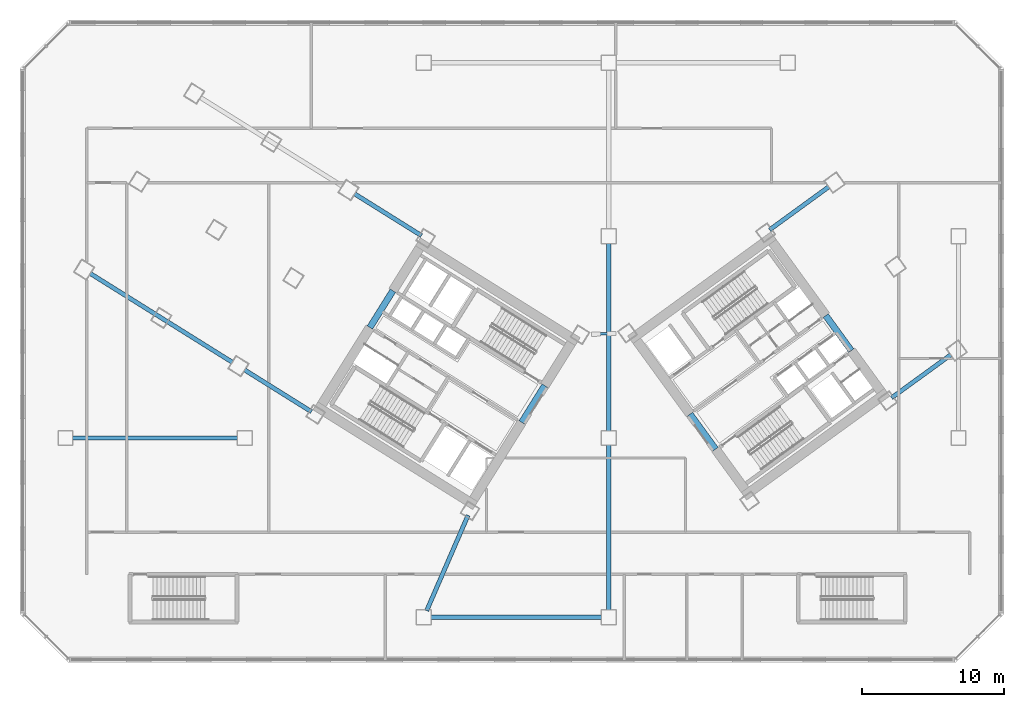
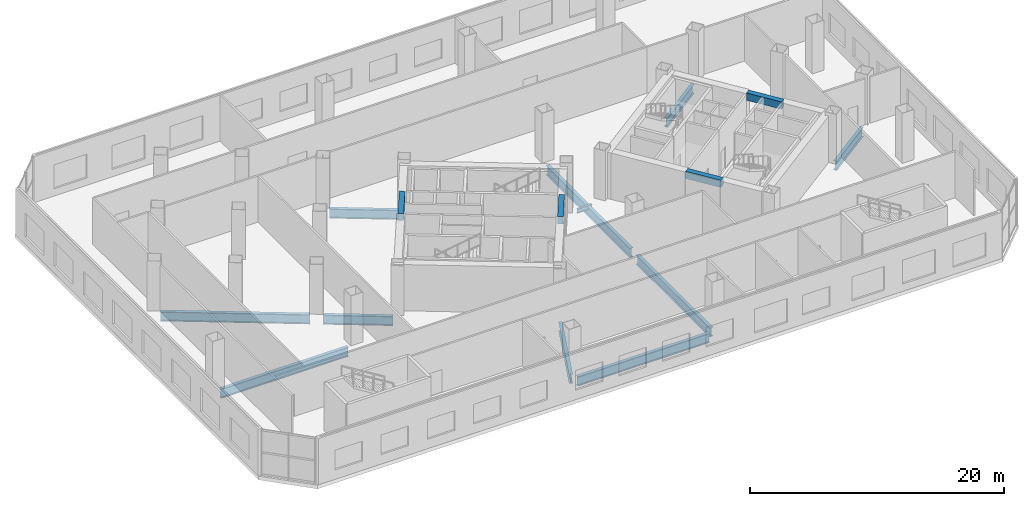
# One storey, part 3 of 22: 15 beams.
"""IFC4 building model written with IfcOpenShell, lengths in metres."""

from ifc_helpers import new_model, si_unit, direction, frame, origin, origin_2d, place, context, subcontext, project, spatial, rectangle, i_section, extrude, source, transform, mapped, material, material_profile, profile_set, type_object, element, save


model = new_model("IFC4")

# Units and contexts
model_context = context("Model", 3, precision=1e-05, world=origin(), true_north=direction((0.0, 1.0)))
body_context = subcontext(model_context, "Body", "Model", "MODEL_VIEW")
ifc_project = project(units=[si_unit("LENGTHUNIT", "METRE"), si_unit("AREAUNIT", "SQUARE_METRE"), si_unit("VOLUMEUNIT", "CUBIC_METRE"), si_unit("PLANEANGLEUNIT", "RADIAN"), si_unit("MASSUNIT", "GRAM", prefix="KILO")], contexts=[model_context])

# Site, building, storey
site_placement = place(None, origin())
site = spatial("IfcSite", under=ifc_project, at=site_placement, CompositionType="ELEMENT")
building_placement = place(site_placement, origin())
building = spatial("IfcBuilding", under=site, at=building_placement, Name="Tlacorven Tower", CompositionType="ELEMENT")
storey_placement = place(building_placement, frame((0.0, 0.0, 5.39990234375)))
storey = spatial("IfcBuildingStorey", under=building, at=storey_placement, Name="L01", CompositionType="ELEMENT", Elevation=5.39990234375)

# Beams
ifc_material_1 = material(Name="Concrete C60/75", Category="concrete")
ifc_material_profile_1 = material_profile(ifc_material_1, rectangle(XDim=0.449951171875, YDim=0.699951171875, at=origin_2d()), Name="RC 450X700")
ifc_profile_set_1 = profile_set([ifc_material_profile_1], Name="Concrete C60/75")
beam_type_1 = type_object("IfcBeamType", Name="BM-LNT-700", PredefinedType="LINTEL", material=ifc_profile_set_1)
shared_shape_1 = source(origin(), body_context, "Body", "SweptSolid", [
    extrude(rectangle(XDim=0.449951171875, YDim=0.699951171875, at=origin_2d()), origin(), (0.0, 0.0, 1.0), 3.050048828125),
])
for number, where, z_axis, x_axis, name in (
    (1, (38.2998046875, 20.890625, 4.10009765625), (-0.529984549635, -0.848007297815, 0.0), (0.848007297815, -0.529984549635, 0.0), "L01 W core coupling lintel beam E1"),
    (2, (50.318359375, 16.416015625, 4.10009765625), (-0.587776590479, 0.80902328748, 0.0), (-0.80902328748, -0.587776590479, 0.0), "L01 E core coupling lintel beam E1"),
    (3, (59.856689453125, 23.345947265625, 4.10009765625), (-0.587776590479, 0.80902328748, 0.0), (-0.80902328748, -0.587776590479, 0.0), "L01 E core coupling lintel beam E2"),
):
    element("IfcBeam", number, at=place(storey_placement, frame(where, z_axis=z_axis, x_axis=x_axis)), inside=storey, type_object=beam_type_1, Name=name, PredefinedType="LINTEL", context=body_context, shape_type="MappedRepresentation", body=[
        mapped(shared_shape_1, transform((0.0, 0.0, 0.0), scale=1.0)),
    ])
shared_shape_2 = source(origin(), body_context, "Body", "SweptSolid", [
    extrude(rectangle(XDim=0.449951171875, YDim=0.699951171875, at=origin_2d()), origin(), (0.0, 0.0, 1.0), 3.0498046875),
])
beam_1_placement = place(storey_placement, frame((27.622802734375, 27.562255859375, 4.10009765625), z_axis=(-0.529926983584, -0.848043272522, 0.0), x_axis=(0.848043272522, -0.529926983584, 0.0)))
element("IfcBeam", 4, at=beam_1_placement, inside=storey, type_object=beam_type_1, Name="L01 W core coupling lintel beam E2", PredefinedType="LINTEL", context=body_context, shape_type="MappedRepresentation", body=[
    mapped(shared_shape_2, transform((0.0, 0.0, 0.0), scale=1.0)),
])
ifc_material_2 = material(Name="Steel S460M", Category="steel")
ifc_material_profile_2 = material_profile(ifc_material_2, i_section(OverallWidth=0.300048828125, OverallDepth=0.89990234375, WebThickness=0.0185546875, FlangeThickness=0.034912109375, at=origin_2d()), Name="HEB 900")
ifc_profile_set_2 = profile_set([ifc_material_profile_2], Name="Steel S460M")
beam_type_2 = type_object("IfcBeamType", Name="BM-POD-900", PredefinedType="BEAM", material=ifc_profile_set_2)
shared_shape_3 = source(origin(), body_context, "Body", "SweptSolid", [
    extrude(i_section(OverallWidth=0.300048828125, OverallDepth=0.89990234375, WebThickness=0.0185546875, FlangeThickness=0.034912109375, at=origin_2d()), origin(), (0.0, 0.0, 1.0), 12.0),
])
beam_2_placement = place(storey_placement, frame((30.300048828125, 4.60009765625, -0.7998046875), z_axis=(1.0, 0.0, 0.0), x_axis=(0.0, 1.0, 0.0)))
element("IfcBeam", 5, at=beam_2_placement, inside=storey, type_object=beam_type_2, Name="L01 beam BM-L01-GX1-1", PredefinedType="BEAM", context=body_context, shape_type="MappedRepresentation", body=[
    mapped(shared_shape_3, transform((0.0, 0.0, 0.0), scale=1.0)),
])
shared_shape_4 = source(origin(), body_context, "Body", "SweptSolid", [
    extrude(i_section(OverallWidth=0.300048828125, OverallDepth=0.89990234375, WebThickness=0.0185546875, FlangeThickness=0.034912109375, at=origin_2d()), origin(), (0.0, 0.0, 1.0), 11.599853515625),
])
for number, where, z_axis, x_axis, name in (
    (6, (5.10009765625, 17.199951171875, -0.7998046875), (1.0, 0.0, 0.0), (0.0, 1.0, 0.0), "L01 beam BM-L01-GX2-1"),
    (7, (42.800048828125, 5.10009765625, -0.7998046875), (0.0, 1.0, 0.0), (-1.0, 0.0, 0.0), "L01 beam BM-L01-GY4-1"),
):
    element("IfcBeam", number, at=place(storey_placement, frame(where, z_axis=z_axis, x_axis=x_axis)), inside=storey, type_object=beam_type_2, Name=name, PredefinedType="BEAM", context=body_context, shape_type="MappedRepresentation", body=[
        mapped(shared_shape_4, transform((0.0, 0.0, 0.0), scale=1.0)),
    ])
shared_shape_5 = source(origin(), body_context, "Body", "SweptSolid", [
    extrude(i_section(OverallWidth=0.300048828125, OverallDepth=0.89990234375, WebThickness=0.0185546875, FlangeThickness=0.034912109375, at=origin_2d()), origin(), (0.0, 0.0, 1.0), 13.199951171875),
])
beam_3_placement = place(storey_placement, frame((42.800048828125, 17.699951171875, -0.7998046875), z_axis=(0.0, 1.0, 0.0), x_axis=(-1.0, 0.0, 0.0)))
element("IfcBeam", 8, at=beam_3_placement, inside=storey, type_object=beam_type_2, Name="L01 beam BM-L01-GY4-2", PredefinedType="BEAM", context=body_context, shape_type="MappedRepresentation", body=[
    mapped(shared_shape_5, transform((0.0, 0.0, 0.0), scale=1.0)),
])
shared_shape_6 = source(origin(), body_context, "Body", "SweptSolid", [
    extrude(i_section(OverallWidth=0.300048828125, OverallDepth=0.89990234375, WebThickness=0.0185546875, FlangeThickness=0.034912109375, at=origin_2d()), origin(), (0.0, 0.0, 1.0), 5.550048828125),
])
beam_4_placement = place(storey_placement, frame((29.631103515625, 31.436767578125, -0.7998046875), z_axis=(-0.848032900817, 0.529943581084, 0.0), x_axis=(-0.529943581084, -0.848032900817, 0.0)))
element("IfcBeam", 9, at=beam_4_placement, inside=storey, type_object=beam_type_2, Name="L01 beam BM-L01-WTG2-1", PredefinedType="BEAM", context=body_context, shape_type="MappedRepresentation", body=[
    mapped(shared_shape_6, transform((0.0, 0.0, 0.0), scale=1.0)),
])
shared_shape_7 = source(origin(), body_context, "Body", "SweptSolid", [
    extrude(i_section(OverallWidth=0.300048828125, OverallDepth=0.89990234375, WebThickness=0.0185546875, FlangeThickness=0.034912109375, at=origin_2d()), origin(), (0.0, 0.0, 1.0), 11.800048828125),
])
beam_5_placement = place(storey_placement, frame((16.339599609375, 22.5263671875, -0.7998046875), z_axis=(-0.848055254246, 0.529907808723, 0.0), x_axis=(-0.529907808723, -0.848055254246, 0.0)))
element("IfcBeam", 10, at=beam_5_placement, inside=storey, type_object=beam_type_2, Name="L01 beam BM-L01-WTG3-2", PredefinedType="BEAM", context=body_context, shape_type="MappedRepresentation", body=[
    mapped(shared_shape_7, transform((0.0, 0.0, 0.0), scale=1.0)),
])
shared_shape_8 = source(origin(), body_context, "Body", "SweptSolid", [
    extrude(i_section(OverallWidth=0.300048828125, OverallDepth=0.89990234375, WebThickness=0.0185546875, FlangeThickness=0.034912109375, at=origin_2d()), origin(), (0.0, 0.0, 1.0), 5.150146484375),
])
for number, where, z_axis, x_axis, name in (
    (11, (62.69677734375, 20.032470703125, -0.7998046875), (0.809020934422, 0.587779829245, 0.0), (-0.587779829245, 0.809020934422, 0.0), "L01 beam BM-L01-ETG2-1"),
    (12, (54.114990234375, 31.84423828125, -0.7998046875), (0.809020934422, 0.587779829245, 0.0), (-0.587779829245, 0.809020934422, 0.0), "L01 beam BM-L01-ETG2-2"),
):
    element("IfcBeam", number, at=place(storey_placement, frame(where, z_axis=z_axis, x_axis=x_axis)), inside=storey, type_object=beam_type_2, Name=name, PredefinedType="BEAM", context=body_context, shape_type="MappedRepresentation", body=[
        mapped(shared_shape_8, transform((0.0, 0.0, 0.0), scale=1.0)),
    ])
shared_shape_9 = source(origin(), body_context, "Body", "SweptSolid", [
    extrude(i_section(OverallWidth=0.300048828125, OverallDepth=0.89990234375, WebThickness=0.0185546875, FlangeThickness=0.034912109375, at=origin_2d()), origin(), (0.0, 0.0, 1.0), 5.5498046875),
])
beam_6_placement = place(storey_placement, frame((21.894287109375, 19.055419921875, -0.7998046875), z_axis=(-0.848052670068, 0.529911944374, 0.0), x_axis=(-0.529911944374, -0.848052670068, 0.0)))
element("IfcBeam", 13, at=beam_6_placement, inside=storey, type_object=beam_type_2, Name="L01 beam BM-L01-WTG2-2", PredefinedType="BEAM", context=body_context, shape_type="MappedRepresentation", body=[
    mapped(shared_shape_9, transform((0.0, 0.0, 0.0), scale=1.0)),
])
shared_shape_10 = source(origin(), body_context, "Body", "SweptSolid", [
    extrude(i_section(OverallWidth=0.300048828125, OverallDepth=0.89990234375, WebThickness=0.0185546875, FlangeThickness=0.034912109375, at=origin_2d()), origin(), (0.0, 0.0, 1.0), 7.310302734375),
])
beam_7_placement = place(storey_placement, frame((32.906982421875, 11.765869140625, -0.7998046875), z_axis=(-0.397817365016, -0.917464628251, 0.0), x_axis=(0.917464628251, -0.397817365016, 0.0)))
element("IfcBeam", 14, at=beam_7_placement, inside=storey, type_object=beam_type_2, Name="L01 beam BM-L01-PKNK2", PredefinedType="BEAM", context=body_context, shape_type="MappedRepresentation", body=[
    mapped(shared_shape_10, transform((0.0, 0.0, 0.0), scale=1.0)),
])
ifc_material_3 = material(Name="Steel S355J2", Category="steel")
ifc_material_profile_3 = material_profile(ifc_material_3, i_section(OverallWidth=0.179931640625, OverallDepth=0.39990234375, WebThickness=0.008544921875, FlangeThickness=0.013427734375, at=origin_2d()), Name="IPE 400")
ifc_profile_set_3 = profile_set([ifc_material_profile_3], Name="Steel S355J2")
beam_type_3 = type_object("IfcBeamType", Name="BM-CRN-400", PredefinedType="BEAM", material=ifc_profile_set_3)
shared_shape_11 = source(origin(), body_context, "Body", "SweptSolid", [
    extrude(i_section(OverallWidth=0.179931640625, OverallDepth=0.39990234375, WebThickness=0.008544921875, FlangeThickness=0.013427734375, at=origin_2d()), origin(), (0.0, 0.0, 1.0), 1.382568359375),
])
beam_8_placement = place(storey_placement, frame((41.762451171875, 24.502685546875, -0.5498046875), z_axis=(0.999394833019, 0.034784590478, 0.0), x_axis=(-0.034784590478, 0.999394833019, 0.0)))
element("IfcBeam", 15, at=beam_8_placement, inside=storey, type_object=beam_type_3, Name="L01 Concourse Bridge Beam B-BRG1", PredefinedType="BEAM", context=body_context, shape_type="MappedRepresentation", body=[
    mapped(shared_shape_11, transform((0.0, 0.0, 0.0), scale=1.0)),
])

save(model, "model.ifc")
